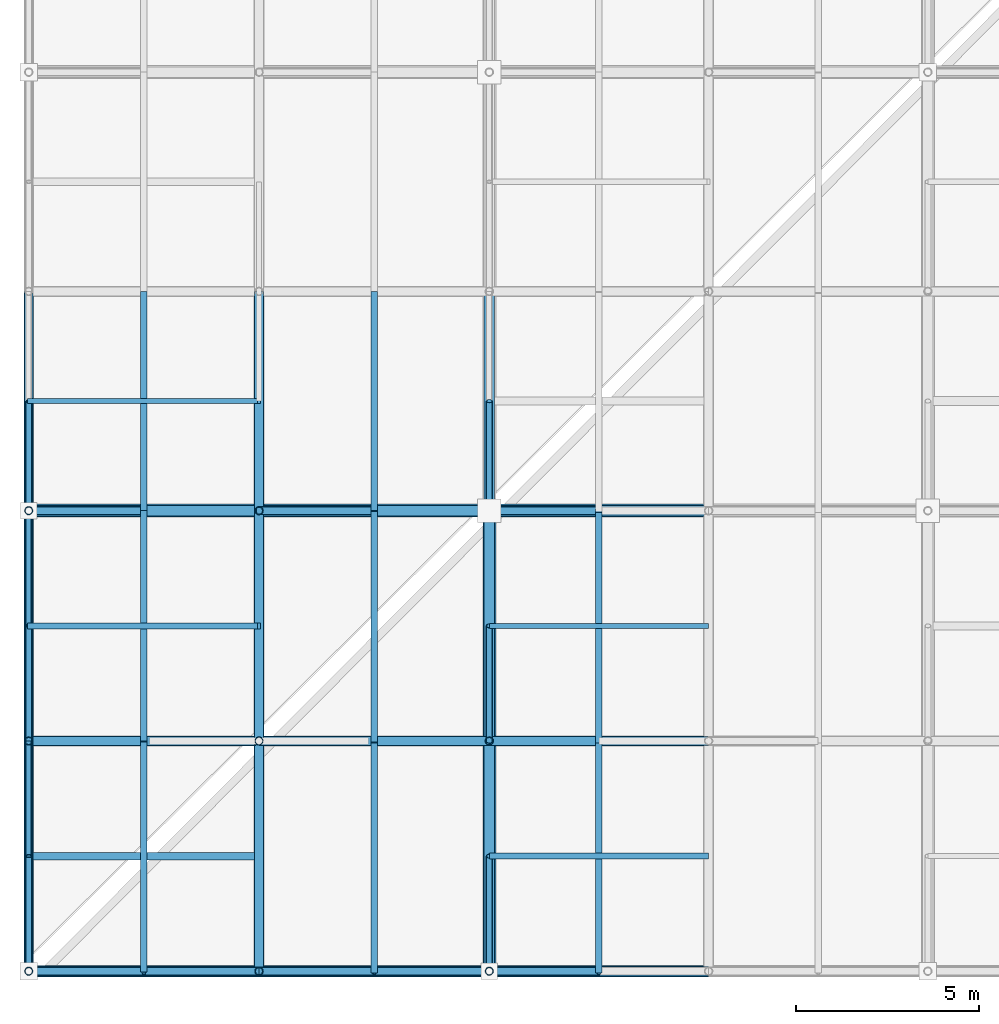
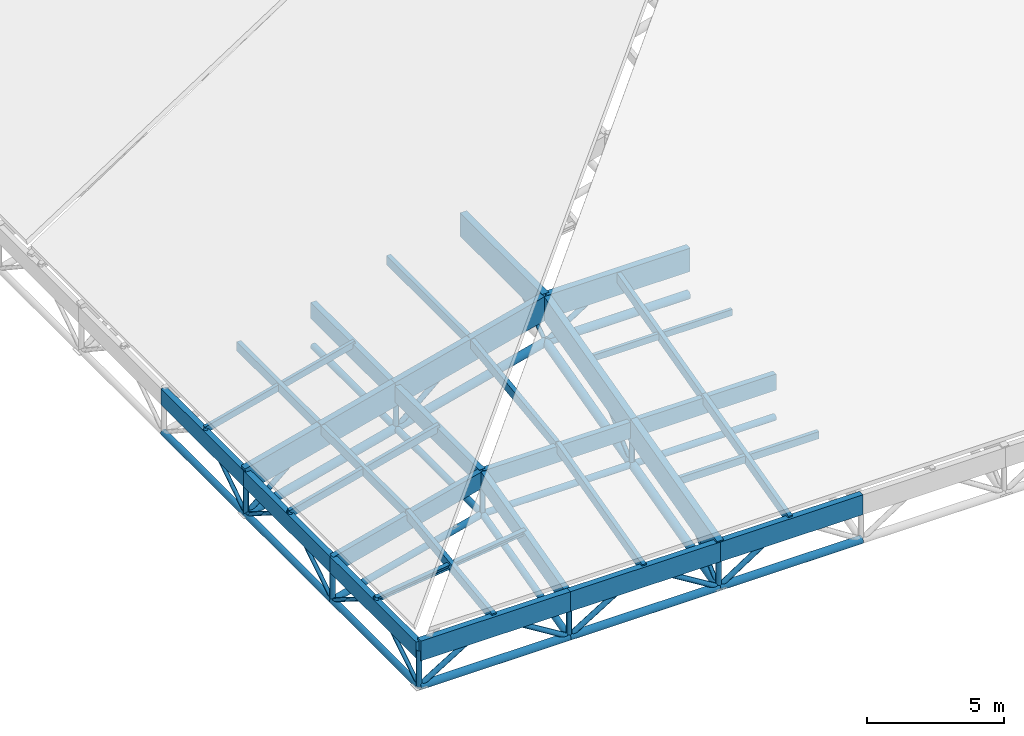
# One storey, part 3 of 80: 72 members.
"""IFC4 building model written with IfcOpenShell, lengths in metres."""

from ifc_helpers import new_model, si_unit, direction, frame, origin, origin_2d, place, context, subcontext, project, spatial, rectangle, hollow_circle, i_section, extrude, material, material_profile, profile_set, type_object, element, save


model = new_model("IFC4")

# Units and contexts
model_context = context("Model", 3, precision=1e-05, world=origin(), true_north=direction((0.0, 1.0)))
body_context = subcontext(model_context, "Body", "Model", "MODEL_VIEW")
ifc_project = project(units=[si_unit("LENGTHUNIT", "METRE"), si_unit("AREAUNIT", "SQUARE_METRE"), si_unit("VOLUMEUNIT", "CUBIC_METRE"), si_unit("PLANEANGLEUNIT", "RADIAN"), si_unit("MASSUNIT", "GRAM", prefix="KILO"), si_unit("THERMODYNAMICTEMPERATUREUNIT", "KELVIN"), si_unit("POWERUNIT", "WATT")], contexts=[model_context])

# Site, building, storey
site_placement = place(None, origin())
site = spatial("IfcSite", under=ifc_project, at=site_placement, CompositionType="ELEMENT")
building_placement = place(site_placement, origin())
building = spatial("IfcBuilding", under=site, at=building_placement, Name="Solmara Park Aquatics Centre", CompositionType="ELEMENT")
storey_placement = place(building_placement, frame((0.0, 0.0, 22.800048828125)))
storey = spatial("IfcBuildingStorey", under=building, at=storey_placement, Name="RF", CompositionType="ELEMENT", Elevation=22.800048828125)

# Members
ifc_material_1 = material(Name="Structural Steel S355", Category="steel")
ifc_material_profile_1 = material_profile(ifc_material_1, hollow_circle(Radius=0.084228515625, WallThickness=0.008056640625, at=origin_2d()), Name="CHS 168.3x8")
ifc_profile_set_1 = profile_set([ifc_material_profile_1], Name="Structural Steel S355")
member_type_1 = type_object("IfcMemberType", Name="STR-BRC-CHS168", PredefinedType="BRACE", material=ifc_profile_set_1)
member_1_placement = place(storey_placement, frame((0.0, 0.0, -14.400146484375), z_axis=(0.0, 0.846631480792, 0.532179608527), x_axis=(-1.0, 0.0, 0.0)))
element("IfcMember", 1, at=member_1_placement, inside=storey, type_object=member_type_1, Name="Roof Truss Web Diagonal Y 1848", PredefinedType="BRACE", context=body_context, shape_type="SweptSolid", body=[
    extrude(hollow_circle(Radius=0.084228515625, WallThickness=0.008056640625, at=origin_2d()), origin(), (0.0, 0.0, 1.0), 3.720458984375),
])
member_2_placement = place(storey_placement, frame((0.0, 6.300048828125, -14.400146484375), z_axis=(0.0, -0.846650063869, 0.532150044019), x_axis=(1.0, 0.0, 0.0)))
element("IfcMember", 2, at=member_2_placement, inside=storey, type_object=member_type_1, Name="Roof Truss Web Diagonal Y 1849", PredefinedType="BRACE", context=body_context, shape_type="SweptSolid", body=[
    extrude(hollow_circle(Radius=0.084228515625, WallThickness=0.008056640625, at=origin_2d()), origin(), (0.0, 0.0, 1.0), 3.720703125),
])
member_3_placement = place(storey_placement, frame((12.60009765625, 0.0, -14.400146484375), z_axis=(0.0, 0.748026356938, 0.663669020917), x_axis=(-1.0, 0.0, 0.0)))
element("IfcMember", 3, at=member_3_placement, inside=storey, type_object=member_type_1, Name="Roof Truss Web Diagonal Y 1850", PredefinedType="BRACE", context=body_context, shape_type="SweptSolid", body=[
    extrude(hollow_circle(Radius=0.084228515625, WallThickness=0.008056640625, at=origin_2d()), origin(), (0.0, 0.0, 1.0), 4.2109375),
])
member_4_placement = place(storey_placement, frame((0.0, 6.300048828125, -14.400146484375), z_axis=(0.0, 0.846631480792, 0.532179608527), x_axis=(-1.0, 0.0, 0.0)))
element("IfcMember", 4, at=member_4_placement, inside=storey, type_object=member_type_1, Name="Roof Truss Web Diagonal Y 1869", PredefinedType="BRACE", context=body_context, shape_type="SweptSolid", body=[
    extrude(hollow_circle(Radius=0.084228515625, WallThickness=0.008056640625, at=origin_2d()), origin(), (0.0, 0.0, 1.0), 3.720458984375),
])
member_5_placement = place(storey_placement, frame((0.0, 12.60009765625, -14.400146484375), z_axis=(0.0, -0.846650063869, 0.532150044019), x_axis=(1.0, 0.0, 0.0)))
element("IfcMember", 5, at=member_5_placement, inside=storey, type_object=member_type_1, Name="Roof Truss Web Diagonal Y 1870", PredefinedType="BRACE", context=body_context, shape_type="SweptSolid", body=[
    extrude(hollow_circle(Radius=0.084228515625, WallThickness=0.008056640625, at=origin_2d()), origin(), (0.0, 0.0, 1.0), 3.720703125),
])
member_6_placement = place(storey_placement, frame((12.60009765625, 6.300048828125, -12.770751953125), z_axis=(0.0, 0.748026356938, 0.663669020917), x_axis=(-1.0, 0.0, 0.0)))
element("IfcMember", 6, at=member_6_placement, inside=storey, type_object=member_type_1, Name="Roof Truss Web Diagonal Y 1871", PredefinedType="BRACE", context=body_context, shape_type="SweptSolid", body=[
    extrude(hollow_circle(Radius=0.084228515625, WallThickness=0.008056640625, at=origin_2d()), origin(), (0.0, 0.0, 1.0), 4.2109375),
])
for number, where, z_axis, x_axis, name in (
    (7, (0.0, 12.60009765625, -14.400146484375), (0.0, 0.834611904619, 0.550838423377), (-1.0, 0.0, 0.0), "Roof Truss Web Diagonal Y 1890"),
    (8, (12.60009765625, 12.60009765625, -11.141357421875), (0.0, 0.834611904619, 0.550838423377), (-1.0, 0.0, 0.0), "Roof Truss Web Diagonal Y 1892"),
):
    element("IfcMember", number, at=place(storey_placement, frame(where, z_axis=z_axis, x_axis=x_axis)), inside=storey, type_object=member_type_1, Name=name, PredefinedType="BRACE", context=body_context, shape_type="SweptSolid", body=[
        extrude(hollow_circle(Radius=0.084228515625, WallThickness=0.008056640625, at=origin_2d()), origin(), (0.0, 0.0, 1.0), 3.594482421875),
    ])
ifc_material_profile_2 = material_profile(ifc_material_1, hollow_circle(Radius=0.109619140625, WallThickness=0.010009765625, at=origin_2d()), Name="CHS 219.1x10")
ifc_profile_set_2 = profile_set([ifc_material_profile_2], Name="Structural Steel S355")
member_type_2 = type_object("IfcMemberType", Name="STR-BRC-CHS219", PredefinedType="BRACE", material=ifc_profile_set_2)
member_7_placement = place(storey_placement, frame((0.0, 0.0, -14.400146484375), z_axis=(0.851442988405, 0.0, 0.524447173218), x_axis=(0.0, 1.0, 0.0)))
element("IfcMember", 9, at=member_7_placement, inside=storey, type_object=member_type_2, Name="Roof Truss Web Diagonal X 1361", PredefinedType="BRACE", context=body_context, shape_type="SweptSolid", body=[
    extrude(hollow_circle(Radius=0.109619140625, WallThickness=0.010009765625, at=origin_2d()), origin(), (0.0, 0.0, 1.0), 3.699462890625),
])
member_8_placement = place(storey_placement, frame((6.300048828125, 0.0, -14.400146484375), z_axis=(-0.851461137937, 0.0, 0.524417706207), x_axis=(0.0, -1.0, 0.0)))
element("IfcMember", 10, at=member_8_placement, inside=storey, type_object=member_type_2, Name="Roof Truss Web Diagonal X 1362", PredefinedType="BRACE", context=body_context, shape_type="SweptSolid", body=[
    extrude(hollow_circle(Radius=0.109619140625, WallThickness=0.010009765625, at=origin_2d()), origin(), (0.0, 0.0, 1.0), 3.69970703125),
])
member_9_placement = place(storey_placement, frame((0.0, 12.60009765625, -14.400146484375), z_axis=(0.752757378615, 0.0, 0.658298054791), x_axis=(0.0, 1.0, 0.0)))
element("IfcMember", 11, at=member_9_placement, inside=storey, type_object=member_type_2, Name="Roof Truss Web Diagonal X 1363", PredefinedType="BRACE", context=body_context, shape_type="SweptSolid", body=[
    extrude(hollow_circle(Radius=0.109619140625, WallThickness=0.010009765625, at=origin_2d()), origin(), (0.0, 0.0, 1.0), 4.1845703125),
])
member_10_placement = place(storey_placement, frame((6.300048828125, 0.0, -14.400146484375), z_axis=(0.851442988405, 0.0, 0.524447173218), x_axis=(0.0, 1.0, 0.0)))
element("IfcMember", 12, at=member_10_placement, inside=storey, type_object=member_type_2, Name="Roof Truss Web Diagonal X 1385", PredefinedType="BRACE", context=body_context, shape_type="SweptSolid", body=[
    extrude(hollow_circle(Radius=0.109619140625, WallThickness=0.010009765625, at=origin_2d()), origin(), (0.0, 0.0, 1.0), 3.699462890625),
])
member_11_placement = place(storey_placement, frame((12.60009765625, 0.0, -14.400146484375), z_axis=(-0.851461137937, 0.0, 0.524417706207), x_axis=(0.0, -1.0, 0.0)))
element("IfcMember", 13, at=member_11_placement, inside=storey, type_object=member_type_2, Name="Roof Truss Web Diagonal X 1386", PredefinedType="BRACE", context=body_context, shape_type="SweptSolid", body=[
    extrude(hollow_circle(Radius=0.109619140625, WallThickness=0.010009765625, at=origin_2d()), origin(), (0.0, 0.0, 1.0), 3.69970703125),
])
member_12_placement = place(storey_placement, frame((6.300048828125, 12.60009765625, -12.770751953125), z_axis=(0.752757378615, 0.0, 0.658298054791), x_axis=(0.0, 1.0, 0.0)))
element("IfcMember", 14, at=member_12_placement, inside=storey, type_object=member_type_2, Name="Roof Truss Web Diagonal X 1387", PredefinedType="BRACE", context=body_context, shape_type="SweptSolid", body=[
    extrude(hollow_circle(Radius=0.109619140625, WallThickness=0.010009765625, at=origin_2d()), origin(), (0.0, 0.0, 1.0), 4.1845703125),
])
member_13_placement = place(storey_placement, frame((12.60009765625, 0.0, -14.400146484375), z_axis=(0.839696636896, 0.0, 0.543055759555), x_axis=(0.0, 1.0, 0.0)))
element("IfcMember", 15, at=member_13_placement, inside=storey, type_object=member_type_2, Name="Roof Truss Web Diagonal X 1409", PredefinedType="BRACE", context=body_context, shape_type="SweptSolid", body=[
    extrude(hollow_circle(Radius=0.109619140625, WallThickness=0.010009765625, at=origin_2d()), origin(), (0.0, 0.0, 1.0), 3.57275390625),
])
member_14_placement = place(storey_placement, frame((12.60009765625, 12.60009765625, -11.141357421875), z_axis=(0.83972779743, 0.0, 0.543007574738), x_axis=(0.0, 1.0, 0.0)))
element("IfcMember", 16, at=member_14_placement, inside=storey, type_object=member_type_2, Name="Roof Truss Web Diagonal X 1411", PredefinedType="BRACE", context=body_context, shape_type="SweptSolid", body=[
    extrude(hollow_circle(Radius=0.109619140625, WallThickness=0.010009765625, at=origin_2d()), origin(), (0.0, 0.0, 1.0), 3.572509765625),
])
ifc_material_profile_3 = material_profile(ifc_material_1, hollow_circle(Radius=0.136474609375, WallThickness=0.012451171875, at=origin_2d()), Name="CHS 273x12.5")
ifc_profile_set_3 = profile_set([ifc_material_profile_3], Name="Structural Steel S355")
member_type_3 = type_object("IfcMemberType", Name="STR-CHD-CHS273", PredefinedType="CHORD", material=ifc_profile_set_3)
member_15_placement = place(storey_placement, frame((0.0, 6.300048828125, -14.400146484375), z_axis=(0.968144245908, 0.0, 0.25039312913), x_axis=(0.0, 1.0, 0.0)))
element("IfcMember", 17, at=member_15_placement, inside=storey, type_object=member_type_3, Name="Steel Roof Truss Bottom Chord X 0038", PredefinedType="CHORD", context=body_context, shape_type="SweptSolid", body=[
    extrude(hollow_circle(Radius=0.136474609375, WallThickness=0.012451171875, at=origin_2d()), origin(), (0.0, 0.0, 1.0), 6.50732421875),
])
member_16_placement = place(storey_placement, frame((6.300048828125, 6.300048828125, -12.770751953125), z_axis=(1.0, 0.0, 0.0), x_axis=(0.0, 1.0, 0.0)))
element("IfcMember", 18, at=member_16_placement, inside=storey, type_object=member_type_3, Name="Steel Roof Truss Bottom Chord X 0040", PredefinedType="CHORD", context=body_context, shape_type="SweptSolid", body=[
    extrude(hollow_circle(Radius=0.136474609375, WallThickness=0.012451171875, at=origin_2d()), origin(), (0.0, 0.0, 1.0), 6.300048828125),
])
member_17_placement = place(storey_placement, frame((12.60009765625, 6.300048828125, -12.770751953125), z_axis=(1.0, 0.0, 0.0), x_axis=(0.0, 1.0, 0.0)))
element("IfcMember", 19, at=member_17_placement, inside=storey, type_object=member_type_3, Name="Steel Roof Truss Bottom Chord X 0042", PredefinedType="CHORD", context=body_context, shape_type="SweptSolid", body=[
    extrude(hollow_circle(Radius=0.136474609375, WallThickness=0.012451171875, at=origin_2d()), origin(), (0.0, 0.0, 1.0), 6.0),
])
for number, where, z_axis, x_axis, name in (
    (20, (0.0, 0.0, -14.400146484375), (0.0, 1.0, 0.0), (-1.0, 0.0, 0.0), "Steel Roof Truss Bottom Chord Y 0542"),
    (21, (0.0, 6.300048828125, -14.400146484375), (0.0, 1.0, 0.0), (-1.0, 0.0, 0.0), "Steel Roof Truss Bottom Chord Y 0544"),
):
    element("IfcMember", number, at=place(storey_placement, frame(where, z_axis=z_axis, x_axis=x_axis)), inside=storey, type_object=member_type_3, Name=name, PredefinedType="CHORD", context=body_context, shape_type="SweptSolid", body=[
        extrude(hollow_circle(Radius=0.136474609375, WallThickness=0.012451171875, at=origin_2d()), origin(), (0.0, 0.0, 1.0), 6.300048828125),
    ])
member_18_placement = place(storey_placement, frame((0.0, 12.60009765625, -14.400146484375), z_axis=(0.0, 1.0, 0.0), x_axis=(-1.0, 0.0, 0.0)))
element("IfcMember", 22, at=member_18_placement, inside=storey, type_object=member_type_3, Name="Steel Roof Truss Bottom Chord Y 0546", PredefinedType="CHORD", context=body_context, shape_type="SweptSolid", body=[
    extrude(hollow_circle(Radius=0.136474609375, WallThickness=0.012451171875, at=origin_2d()), origin(), (0.0, 0.0, 1.0), 6.0),
])
member_19_placement = place(storey_placement, frame((6.300048828125, 0.0, -14.400146484375), z_axis=(0.0, 0.968144245908, 0.25039312913), x_axis=(-1.0, 0.0, 0.0)))
element("IfcMember", 23, at=member_19_placement, inside=storey, type_object=member_type_3, Name="Steel Roof Truss Bottom Chord Y 0570", PredefinedType="CHORD", context=body_context, shape_type="SweptSolid", body=[
    extrude(hollow_circle(Radius=0.136474609375, WallThickness=0.012451171875, at=origin_2d()), origin(), (0.0, 0.0, 1.0), 6.50732421875),
])
member_20_placement = place(storey_placement, frame((6.300048828125, 6.300048828125, -12.770751953125), z_axis=(0.0, 1.0, 0.0), x_axis=(-1.0, 0.0, 0.0)))
element("IfcMember", 24, at=member_20_placement, inside=storey, type_object=member_type_3, Name="Steel Roof Truss Bottom Chord Y 0572", PredefinedType="CHORD", context=body_context, shape_type="SweptSolid", body=[
    extrude(hollow_circle(Radius=0.136474609375, WallThickness=0.012451171875, at=origin_2d()), origin(), (0.0, 0.0, 1.0), 6.300048828125),
])
member_21_placement = place(storey_placement, frame((6.300048828125, 12.60009765625, -12.770751953125), z_axis=(0.0, 1.0, 0.0), x_axis=(-1.0, 0.0, 0.0)))
element("IfcMember", 25, at=member_21_placement, inside=storey, type_object=member_type_3, Name="Steel Roof Truss Bottom Chord Y 0574", PredefinedType="CHORD", context=body_context, shape_type="SweptSolid", body=[
    extrude(hollow_circle(Radius=0.136474609375, WallThickness=0.012451171875, at=origin_2d()), origin(), (0.0, 0.0, 1.0), 6.0),
])
ifc_material_profile_4 = material_profile(ifc_material_1, hollow_circle(Radius=0.161865234375, WallThickness=0.01611328125, at=origin_2d()), Name="CHS 323.9x16")
ifc_profile_set_4 = profile_set([ifc_material_profile_4], Name="Structural Steel S355")
member_type_4 = type_object("IfcMemberType", Name="STR-CHD-CHS323", PredefinedType="CHORD", material=ifc_profile_set_4)
for number, where, z_axis, x_axis, name in (
    (26, (0.0, 0.0, -14.400146484375), (1.0, 0.0, 0.0), (0.0, 1.0, 0.0), "Steel Roof Truss Bottom Chord X 0002"),
    (27, (6.300048828125, 0.0, -14.400146484375), (1.0, 0.0, 0.0), (0.0, 1.0, 0.0), "Steel Roof Truss Bottom Chord X 0004"),
):
    element("IfcMember", number, at=place(storey_placement, frame(where, z_axis=z_axis, x_axis=x_axis)), inside=storey, type_object=member_type_4, Name=name, PredefinedType="CHORD", context=body_context, shape_type="SweptSolid", body=[
        extrude(hollow_circle(Radius=0.161865234375, WallThickness=0.01611328125, at=origin_2d()), origin(), (0.0, 0.0, 1.0), 6.300048828125),
    ])
member_22_placement = place(storey_placement, frame((12.60009765625, 0.0, -14.400146484375), z_axis=(1.0, 0.0, 0.0), x_axis=(0.0, 1.0, 0.0)))
element("IfcMember", 28, at=member_22_placement, inside=storey, type_object=member_type_4, Name="Steel Roof Truss Bottom Chord X 0006", PredefinedType="CHORD", context=body_context, shape_type="SweptSolid", body=[
    extrude(hollow_circle(Radius=0.161865234375, WallThickness=0.01611328125, at=origin_2d()), origin(), (0.0, 0.0, 1.0), 6.0),
])
ifc_material_profile_5 = material_profile(ifc_material_1, hollow_circle(Radius=0.177734375, WallThickness=0.01611328125, at=origin_2d()), Name="CHS 355.6x16")
ifc_profile_set_5 = profile_set([ifc_material_profile_5], Name="Structural Steel S355")
member_type_5 = type_object("IfcMemberType", Name="STR-CHD-CHS355", PredefinedType="CHORD", material=ifc_profile_set_5)
for number, where, z_axis, x_axis, name in (
    (29, (0.0, 12.60009765625, -14.400146484375), (0.968144245908, 0.0, 0.25039312913), (0.0, 1.0, 0.0), "Steel Roof Truss Bottom Chord X 0074"),
    (30, (6.300048828125, 12.60009765625, -12.770751953125), (0.968144245908, 0.0, 0.25039312913), (0.0, 1.0, 0.0), "Steel Roof Truss Bottom Chord X 0076"),
):
    element("IfcMember", number, at=place(storey_placement, frame(where, z_axis=z_axis, x_axis=x_axis)), inside=storey, type_object=member_type_5, Name=name, PredefinedType="CHORD", context=body_context, shape_type="SweptSolid", body=[
        extrude(hollow_circle(Radius=0.177734375, WallThickness=0.01611328125, at=origin_2d()), origin(), (0.0, 0.0, 1.0), 6.50732421875),
    ])
member_23_placement = place(storey_placement, frame((12.60009765625, 12.60009765625, -11.141357421875), z_axis=(1.0, 0.0, 0.0), x_axis=(0.0, 1.0, 0.0)))
element("IfcMember", 31, at=member_23_placement, inside=storey, type_object=member_type_5, Name="Steel Roof Truss Bottom Chord X 0078", PredefinedType="CHORD", context=body_context, shape_type="SweptSolid", body=[
    extrude(hollow_circle(Radius=0.177734375, WallThickness=0.01611328125, at=origin_2d()), origin(), (0.0, 0.0, 1.0), 6.0),
])
for number, where, z_axis, x_axis, name in (
    (32, (12.60009765625, 0.0, -14.400146484375), (0.0, 0.968144245908, 0.25039312913), (-1.0, 0.0, 0.0), "Steel Roof Truss Bottom Chord Y 0598"),
    (33, (12.60009765625, 6.300048828125, -12.770751953125), (0.0, 0.968144245908, 0.25039312913), (-1.0, 0.0, 0.0), "Steel Roof Truss Bottom Chord Y 0600"),
):
    element("IfcMember", number, at=place(storey_placement, frame(where, z_axis=z_axis, x_axis=x_axis)), inside=storey, type_object=member_type_5, Name=name, PredefinedType="CHORD", context=body_context, shape_type="SweptSolid", body=[
        extrude(hollow_circle(Radius=0.177734375, WallThickness=0.01611328125, at=origin_2d()), origin(), (0.0, 0.0, 1.0), 6.50732421875),
    ])
ifc_material_2 = material(Name="Glulam Timber GL28h", Category="wood")
ifc_material_profile_6 = material_profile(ifc_material_2, rectangle(XDim=0.239990234375, YDim=0.719970703125, at=origin_2d()), Name="GL28h 240x720")
ifc_profile_set_6 = profile_set([ifc_material_profile_6], Name="Glulam Timber GL28h")
member_type_6 = type_object("IfcMemberType", Name="STR-CHD-GL240x720", PredefinedType="CHORD", material=ifc_profile_set_6)
member_24_placement = place(storey_placement, frame((0.0, 6.300048828125, -12.780029296875), z_axis=(0.968144245908, 0.0, 0.25039312913), x_axis=(0.0, 1.0, 0.0)))
element("IfcMember", 34, at=member_24_placement, inside=storey, type_object=member_type_6, Name="Glulam Roof Truss Top Chord X 0037", PredefinedType="CHORD", context=body_context, shape_type="SweptSolid", body=[
    extrude(rectangle(XDim=0.239990234375, YDim=0.719970703125, at=origin_2d()), origin(), (0.0, 0.0, 1.0), 6.50732421875),
])
member_25_placement = place(storey_placement, frame((6.300048828125, 6.300048828125, -11.150634765625), z_axis=(1.0, 0.0, 0.0), x_axis=(0.0, 1.0, 0.0)))
element("IfcMember", 35, at=member_25_placement, inside=storey, type_object=member_type_6, Name="Glulam Roof Truss Top Chord X 0039", PredefinedType="CHORD", context=body_context, shape_type="SweptSolid", body=[
    extrude(rectangle(XDim=0.239990234375, YDim=0.719970703125, at=origin_2d()), origin(), (0.0, 0.0, 1.0), 6.300048828125),
])
member_26_placement = place(storey_placement, frame((12.60009765625, 6.300048828125, -11.150634765625), z_axis=(1.0, 0.0, 0.0), x_axis=(0.0, 1.0, 0.0)))
element("IfcMember", 36, at=member_26_placement, inside=storey, type_object=member_type_6, Name="Glulam Roof Truss Top Chord X 0041", PredefinedType="CHORD", context=body_context, shape_type="SweptSolid", body=[
    extrude(rectangle(XDim=0.239990234375, YDim=0.719970703125, at=origin_2d()), origin(), (0.0, 0.0, 1.0), 6.0),
])
for number, where, z_axis, x_axis, name in (
    (37, (0.0, 0.0, -12.780029296875), (0.0, 1.0, 0.0), (-1.0, 0.0, 0.0), "Glulam Roof Truss Top Chord Y 0541"),
    (38, (0.0, 6.300048828125, -12.780029296875), (0.0, 1.0, 0.0), (-1.0, 0.0, 0.0), "Glulam Roof Truss Top Chord Y 0543"),
):
    element("IfcMember", number, at=place(storey_placement, frame(where, z_axis=z_axis, x_axis=x_axis)), inside=storey, type_object=member_type_6, Name=name, PredefinedType="CHORD", context=body_context, shape_type="SweptSolid", body=[
        extrude(rectangle(XDim=0.239990234375, YDim=0.719970703125, at=origin_2d()), origin(), (0.0, 0.0, 1.0), 6.300048828125),
    ])
member_27_placement = place(storey_placement, frame((0.0, 12.60009765625, -12.780029296875), z_axis=(0.0, 1.0, 0.0), x_axis=(-1.0, 0.0, 0.0)))
element("IfcMember", 39, at=member_27_placement, inside=storey, type_object=member_type_6, Name="Glulam Roof Truss Top Chord Y 0545", PredefinedType="CHORD", context=body_context, shape_type="SweptSolid", body=[
    extrude(rectangle(XDim=0.239990234375, YDim=0.719970703125, at=origin_2d()), origin(), (0.0, 0.0, 1.0), 6.0),
])
member_28_placement = place(storey_placement, frame((6.300048828125, 0.0, -12.780029296875), z_axis=(0.0, 0.968144245908, 0.25039312913), x_axis=(-1.0, 0.0, 0.0)))
element("IfcMember", 40, at=member_28_placement, inside=storey, type_object=member_type_6, Name="Glulam Roof Truss Top Chord Y 0569", PredefinedType="CHORD", context=body_context, shape_type="SweptSolid", body=[
    extrude(rectangle(XDim=0.239990234375, YDim=0.719970703125, at=origin_2d()), origin(), (0.0, 0.0, 1.0), 6.50732421875),
])
member_29_placement = place(storey_placement, frame((6.300048828125, 6.300048828125, -11.150634765625), z_axis=(0.0, 1.0, 0.0), x_axis=(-1.0, 0.0, 0.0)))
element("IfcMember", 41, at=member_29_placement, inside=storey, type_object=member_type_6, Name="Glulam Roof Truss Top Chord Y 0571", PredefinedType="CHORD", context=body_context, shape_type="SweptSolid", body=[
    extrude(rectangle(XDim=0.239990234375, YDim=0.719970703125, at=origin_2d()), origin(), (0.0, 0.0, 1.0), 6.300048828125),
])
member_30_placement = place(storey_placement, frame((6.300048828125, 12.60009765625, -11.150634765625), z_axis=(0.0, 1.0, 0.0), x_axis=(-1.0, 0.0, 0.0)))
element("IfcMember", 42, at=member_30_placement, inside=storey, type_object=member_type_6, Name="Glulam Roof Truss Top Chord Y 0573", PredefinedType="CHORD", context=body_context, shape_type="SweptSolid", body=[
    extrude(rectangle(XDim=0.239990234375, YDim=0.719970703125, at=origin_2d()), origin(), (0.0, 0.0, 1.0), 6.0),
])
ifc_material_profile_7 = material_profile(ifc_material_2, rectangle(XDim=0.260009765625, YDim=0.8798828125, at=origin_2d()), Name="GL28h 260x880")
ifc_profile_set_7 = profile_set([ifc_material_profile_7], Name="Glulam Timber GL28h")
member_type_7 = type_object("IfcMemberType", Name="STR-CHD-GL260x880", PredefinedType="CHORD", material=ifc_profile_set_7)
for number, where, z_axis, x_axis, name in (
    (43, (0.0, 0.0, -12.780029296875), (1.0, 0.0, 0.0), (0.0, 1.0, 0.0), "Glulam Roof Truss Top Chord X 0001"),
    (44, (6.300048828125, 0.0, -12.780029296875), (1.0, 0.0, 0.0), (0.0, 1.0, 0.0), "Glulam Roof Truss Top Chord X 0003"),
):
    element("IfcMember", number, at=place(storey_placement, frame(where, z_axis=z_axis, x_axis=x_axis)), inside=storey, type_object=member_type_7, Name=name, PredefinedType="CHORD", context=body_context, shape_type="SweptSolid", body=[
        extrude(rectangle(XDim=0.260009765625, YDim=0.8798828125, at=origin_2d()), origin(), (0.0, 0.0, 1.0), 6.300048828125),
    ])
member_31_placement = place(storey_placement, frame((12.60009765625, 0.0, -12.780029296875), z_axis=(1.0, 0.0, 0.0), x_axis=(0.0, 1.0, 0.0)))
element("IfcMember", 45, at=member_31_placement, inside=storey, type_object=member_type_7, Name="Glulam Roof Truss Top Chord X 0005", PredefinedType="CHORD", context=body_context, shape_type="SweptSolid", body=[
    extrude(rectangle(XDim=0.260009765625, YDim=0.8798828125, at=origin_2d()), origin(), (0.0, 0.0, 1.0), 6.0),
])
ifc_material_profile_8 = material_profile(ifc_material_2, rectangle(XDim=0.280029296875, YDim=1.0400390625, at=origin_2d()), Name="GL28h 280x1040")
ifc_profile_set_8 = profile_set([ifc_material_profile_8], Name="Glulam Timber GL28h")
member_type_8 = type_object("IfcMemberType", Name="STR-CHD-GL280x1040", PredefinedType="CHORD", material=ifc_profile_set_8)
for number, where, z_axis, x_axis, name in (
    (46, (0.0, 12.60009765625, -12.780029296875), (0.968144245908, 0.0, 0.25039312913), (0.0, 1.0, 0.0), "Glulam Roof Truss Top Chord X 0073"),
    (47, (6.300048828125, 12.60009765625, -11.150634765625), (0.96815334027, 0.0, 0.250357963171), (0.0, 1.0, 0.0), "Glulam Roof Truss Top Chord X 0075"),
):
    element("IfcMember", number, at=place(storey_placement, frame(where, z_axis=z_axis, x_axis=x_axis)), inside=storey, type_object=member_type_8, Name=name, PredefinedType="CHORD", context=body_context, shape_type="SweptSolid", body=[
        extrude(rectangle(XDim=0.280029296875, YDim=1.0400390625, at=origin_2d()), origin(), (0.0, 0.0, 1.0), 6.50732421875),
    ])
member_32_placement = place(storey_placement, frame((12.60009765625, 12.60009765625, -9.521484375), z_axis=(1.0, 0.0, 0.0), x_axis=(0.0, 1.0, 0.0)))
element("IfcMember", 48, at=member_32_placement, inside=storey, type_object=member_type_8, Name="Glulam Roof Truss Top Chord X 0077", PredefinedType="CHORD", context=body_context, shape_type="SweptSolid", body=[
    extrude(rectangle(XDim=0.280029296875, YDim=1.0400390625, at=origin_2d()), origin(), (0.0, 0.0, 1.0), 6.0),
])
for number, where, z_axis, x_axis, name in (
    (49, (12.60009765625, 0.0, -12.780029296875), (0.0, 0.968144245908, 0.25039312913), (-1.0, 0.0, 0.0), "Glulam Roof Truss Top Chord Y 0597"),
    (50, (12.60009765625, 6.300048828125, -11.150634765625), (0.0, 0.96815334027, 0.250357963171), (-1.0, 0.0, 0.0), "Glulam Roof Truss Top Chord Y 0599"),
):
    element("IfcMember", number, at=place(storey_placement, frame(where, z_axis=z_axis, x_axis=x_axis)), inside=storey, type_object=member_type_8, Name=name, PredefinedType="CHORD", context=body_context, shape_type="SweptSolid", body=[
        extrude(rectangle(XDim=0.280029296875, YDim=1.0400390625, at=origin_2d()), origin(), (0.0, 0.0, 1.0), 6.50732421875),
    ])
member_33_placement = place(storey_placement, frame((12.60009765625, 12.60009765625, -9.521484375), z_axis=(0.0, 1.0, 0.0), x_axis=(-1.0, 0.0, 0.0)))
element("IfcMember", 51, at=member_33_placement, inside=storey, type_object=member_type_8, Name="Glulam Roof Truss Top Chord Y 0601", PredefinedType="CHORD", context=body_context, shape_type="SweptSolid", body=[
    extrude(rectangle(XDim=0.280029296875, YDim=1.0400390625, at=origin_2d()), origin(), (0.0, 0.0, 1.0), 6.0),
])
ifc_material_profile_9 = material_profile(ifc_material_2, rectangle(XDim=0.139892578125, YDim=0.280029296875, at=origin_2d()), Name="GL28h 140x280")
ifc_profile_set_9 = profile_set([ifc_material_profile_9], Name="Glulam Timber GL28h")
member_type_9 = type_object("IfcMemberType", Name="STR-PRL-GL140x280", PredefinedType="PURLIN", material=ifc_profile_set_9)
member_34_placement = place(storey_placement, frame((12.60009765625, 9.449951171875, -9.99609375), z_axis=(1.0, 0.0, 0.0), x_axis=(0.0, 1.0, 0.0)))
element("IfcMember", 52, at=member_34_placement, inside=storey, type_object=member_type_9, Name="Glulam Secondary Roof Purlin 1861", PredefinedType="PURLIN", context=body_context, shape_type="SweptSolid", body=[
    extrude(rectangle(XDim=0.139892578125, YDim=0.280029296875, at=origin_2d()), origin(), (0.0, 0.0, 1.0), 6.0),
])
member_35_placement = place(storey_placement, frame((0.0, 15.60009765625, -12.43994140625), z_axis=(0.96815334027, 0.0, 0.250357963171), x_axis=(0.0, 1.0, 0.0)))
element("IfcMember", 53, at=member_35_placement, inside=storey, type_object=member_type_9, Name="Glulam Secondary Roof Purlin 1881", PredefinedType="PURLIN", context=body_context, shape_type="SweptSolid", body=[
    extrude(rectangle(XDim=0.139892578125, YDim=0.280029296875, at=origin_2d()), origin(), (0.0, 0.0, 1.0), 6.50732421875),
])
ifc_material_profile_10 = material_profile(ifc_material_2, rectangle(XDim=0.159912109375, YDim=0.320068359375, at=origin_2d()), Name="GL28h 160x320")
ifc_profile_set_10 = profile_set([ifc_material_profile_10], Name="Glulam Timber GL28h")
member_type_10 = type_object("IfcMemberType", Name="STR-PRL-GL160x320", PredefinedType="PURLIN", material=ifc_profile_set_10)
member_36_placement = place(storey_placement, frame((12.60009765625, 3.14990234375, -11.62548828125), z_axis=(1.0, 0.0, 0.0), x_axis=(0.0, 1.0, 0.0)))
element("IfcMember", 54, at=member_36_placement, inside=storey, type_object=member_type_10, Name="Glulam Secondary Roof Purlin 1840", PredefinedType="PURLIN", context=body_context, shape_type="SweptSolid", body=[
    extrude(rectangle(XDim=0.159912109375, YDim=0.320068359375, at=origin_2d()), origin(), (0.0, 0.0, 1.0), 6.0),
])
member_37_placement = place(storey_placement, frame((0.0, 9.449951171875, -12.43994140625), z_axis=(0.96815334027, 0.0, 0.250357963171), x_axis=(0.0, 1.0, 0.0)))
element("IfcMember", 55, at=member_37_placement, inside=storey, type_object=member_type_10, Name="Glulam Secondary Roof Purlin 1860", PredefinedType="PURLIN", context=body_context, shape_type="SweptSolid", body=[
    extrude(rectangle(XDim=0.159912109375, YDim=0.320068359375, at=origin_2d()), origin(), (0.0, 0.0, 1.0), 6.50732421875),
])
ifc_material_profile_11 = material_profile(ifc_material_2, rectangle(XDim=0.179931640625, YDim=0.39990234375, at=origin_2d()), Name="GL28h 180x400")
ifc_profile_set_11 = profile_set([ifc_material_profile_11], Name="Glulam Timber GL28h")
member_type_11 = type_object("IfcMemberType", Name="STR-PRL-GL180x400", PredefinedType="PURLIN", material=ifc_profile_set_11)
member_38_placement = place(storey_placement, frame((3.14990234375, 0.0, -12.4599609375), z_axis=(0.0, 0.991746997538, 0.128210346204), x_axis=(-1.0, 0.0, 0.0)))
element("IfcMember", 56, at=member_38_placement, inside=storey, type_object=member_type_11, Name="Glulam Roof Purlin 1347", PredefinedType="PURLIN", context=body_context, shape_type="SweptSolid", body=[
    extrude(rectangle(XDim=0.179931640625, YDim=0.39990234375, at=origin_2d()), origin(), (0.0, 0.0, 1.0), 6.3525390625),
])
member_39_placement = place(storey_placement, frame((3.14990234375, 6.300048828125, -11.6455078125), z_axis=(0.0, 1.0, 0.0), x_axis=(-1.0, 0.0, 0.0)))
element("IfcMember", 57, at=member_39_placement, inside=storey, type_object=member_type_11, Name="Glulam Roof Purlin 1348", PredefinedType="PURLIN", context=body_context, shape_type="SweptSolid", body=[
    extrude(rectangle(XDim=0.179931640625, YDim=0.39990234375, at=origin_2d()), origin(), (0.0, 0.0, 1.0), 6.300048828125),
])
member_40_placement = place(storey_placement, frame((3.14990234375, 12.60009765625, -11.6455078125), z_axis=(0.0, 1.0, 0.0), x_axis=(-1.0, 0.0, 0.0)))
element("IfcMember", 58, at=member_40_placement, inside=storey, type_object=member_type_11, Name="Glulam Roof Purlin 1349", PredefinedType="PURLIN", context=body_context, shape_type="SweptSolid", body=[
    extrude(rectangle(XDim=0.179931640625, YDim=0.39990234375, at=origin_2d()), origin(), (0.0, 0.0, 1.0), 6.0),
])
member_41_placement = place(storey_placement, frame((9.449951171875, 0.0, -12.4599609375), z_axis=(0.0, 0.96815334027, 0.250357963171), x_axis=(-1.0, 0.0, 0.0)))
element("IfcMember", 59, at=member_41_placement, inside=storey, type_object=member_type_11, Name="Glulam Roof Purlin 1371", PredefinedType="PURLIN", context=body_context, shape_type="SweptSolid", body=[
    extrude(rectangle(XDim=0.179931640625, YDim=0.39990234375, at=origin_2d()), origin(), (0.0, 0.0, 1.0), 6.50732421875),
])
member_42_placement = place(storey_placement, frame((9.449951171875, 6.300048828125, -10.830810546875), z_axis=(0.0, 0.991742110082, 0.128248146535), x_axis=(-1.0, 0.0, 0.0)))
element("IfcMember", 60, at=member_42_placement, inside=storey, type_object=member_type_11, Name="Glulam Roof Purlin 1372", PredefinedType="PURLIN", context=body_context, shape_type="SweptSolid", body=[
    extrude(rectangle(XDim=0.179931640625, YDim=0.39990234375, at=origin_2d()), origin(), (0.0, 0.0, 1.0), 6.3525390625),
])
member_43_placement = place(storey_placement, frame((9.449951171875, 12.60009765625, -10.01611328125), z_axis=(0.0, 1.0, 0.0), x_axis=(-1.0, 0.0, 0.0)))
element("IfcMember", 61, at=member_43_placement, inside=storey, type_object=member_type_11, Name="Glulam Roof Purlin 1373", PredefinedType="PURLIN", context=body_context, shape_type="SweptSolid", body=[
    extrude(rectangle(XDim=0.179931640625, YDim=0.39990234375, at=origin_2d()), origin(), (0.0, 0.0, 1.0), 6.0),
])
for number, where, z_axis, x_axis, name in (
    (62, (15.60009765625, 0.0, -12.4599609375), (0.0, 0.96815334027, 0.250357963171), (-1.0, 0.0, 0.0), "Glulam Roof Purlin 1395"),
    (63, (15.60009765625, 6.300048828125, -10.830810546875), (0.0, 0.968144245908, 0.25039312913), (-1.0, 0.0, 0.0), "Glulam Roof Purlin 1396"),
):
    element("IfcMember", number, at=place(storey_placement, frame(where, z_axis=z_axis, x_axis=x_axis)), inside=storey, type_object=member_type_11, Name=name, PredefinedType="PURLIN", context=body_context, shape_type="SweptSolid", body=[
        extrude(rectangle(XDim=0.179931640625, YDim=0.39990234375, at=origin_2d()), origin(), (0.0, 0.0, 1.0), 6.50732421875),
    ])
ifc_material_profile_12 = material_profile(ifc_material_1, i_section(OverallWidth=0.199951171875, OverallDepth=0.18994140625, WebThickness=0.006591796875, FlangeThickness=0.010009765625, FilletRadius=0.01806640625, at=origin_2d()), Name="HEA 200")
ifc_profile_set_12 = profile_set([ifc_material_profile_12], Name="Structural Steel S355")
member_type_12 = type_object("IfcMemberType", Name="STR-PRL-HEA200", PredefinedType="PURLIN", material=ifc_profile_set_12)
member_44_placement = place(storey_placement, frame((0.0, 3.14990234375, -12.43994140625), z_axis=(0.991746997538, 0.0, 0.128210346204), x_axis=(0.0, 1.0, 0.0)))
element("IfcMember", 64, at=member_44_placement, inside=storey, type_object=member_type_12, Name="Glulam Secondary Roof Purlin 1839", PredefinedType="PURLIN", context=body_context, shape_type="SweptSolid", body=[
    extrude(i_section(OverallWidth=0.199951171875, OverallDepth=0.18994140625, WebThickness=0.006591796875, FlangeThickness=0.010009765625, FilletRadius=0.01806640625, at=origin_2d()), origin(), (0.0, 0.0, 1.0), 6.3525390625),
])
ifc_material_profile_13 = material_profile(ifc_material_1, hollow_circle(Radius=0.109619140625, WallThickness=0.010009765625, at=origin_2d()), Name="CHS 219.1x10")
ifc_profile_set_13 = profile_set([ifc_material_profile_13], Name="Structural Steel S355")
member_type_13 = type_object("IfcMemberType", Name="STR-PST-CHS219", PredefinedType="POST", material=ifc_profile_set_13)
for number, where, z_axis, x_axis, name in (
    (65, (0.0, 0.0, -14.400146484375), (0.0, 0.0, 1.0), (1.0, 0.0, 0.0), "Roof Truss Web Post 1073"),
    (66, (0.0, 6.300048828125, -14.400146484375), (0.0, 0.0, 1.0), (1.0, 0.0, 0.0), "Roof Truss Web Post 1074"),
    (67, (0.0, 12.60009765625, -14.400146484375), (0.0, 0.0, 1.0), (1.0, 0.0, 0.0), "Roof Truss Web Post 1075"),
    (68, (6.300048828125, 0.0, -14.400146484375), (0.0, 0.0, 1.0), (1.0, 0.0, 0.0), "Roof Truss Web Post 1087"),
    (69, (6.300048828125, 6.300048828125, -12.770751953125), (0.0, 0.0, 1.0), (1.0, 0.0, 0.0), "Roof Truss Web Post 1088"),
    (70, (6.300048828125, 12.60009765625, -12.770751953125), (0.0, 0.0, 1.0), (1.0, 0.0, 0.0), "Roof Truss Web Post 1089"),
    (71, (12.60009765625, 0.0, -14.400146484375), (0.0, 0.0, 1.0), (1.0, 0.0, 0.0), "Roof Truss Web Post 1101"),
    (72, (12.60009765625, 6.300048828125, -12.770751953125), (0.0, 0.0, 1.0), (1.0, 0.0, 0.0), "Roof Truss Web Post 1102"),
):
    element("IfcMember", number, at=place(storey_placement, frame(where, z_axis=z_axis, x_axis=x_axis)), inside=storey, type_object=member_type_13, Name=name, PredefinedType="POST", context=body_context, shape_type="SweptSolid", body=[
        extrude(hollow_circle(Radius=0.109619140625, WallThickness=0.010009765625, at=origin_2d()), origin(), (0.0, 0.0, 1.0), 1.6201171875),
    ])

save(model, "model.ifc")
